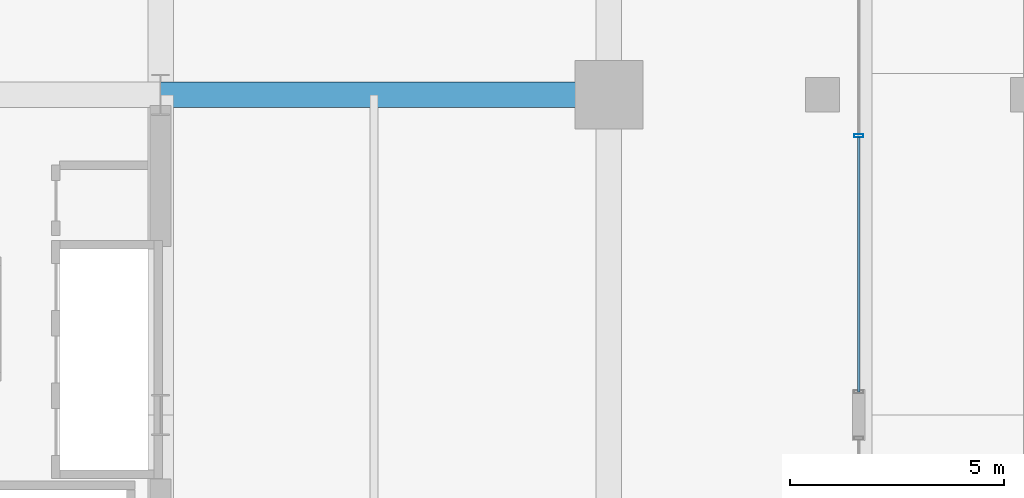
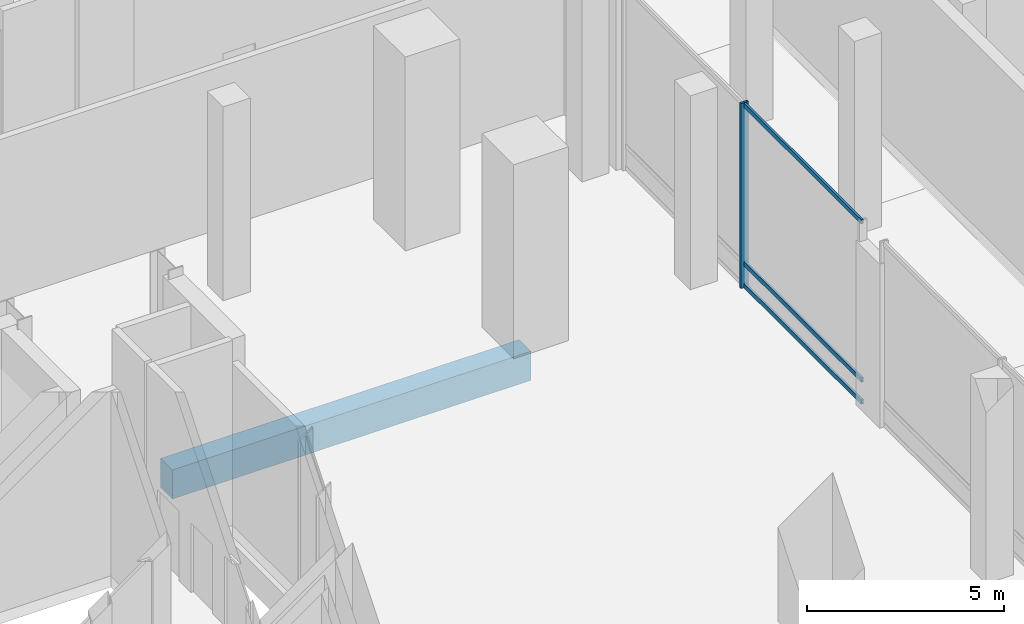
# One storey, part 17 of 34: 4 members, 1 beam, 1 element without a shape of its own.
"""IFC4 building model written with IfcOpenShell, lengths in metres."""

from ifc_helpers import new_model, si_unit, direction, frame, origin, origin_2d, place, context, subcontext, project, spatial, rectangle, hollow_rectangle, extrude, material, layer, layer_set, material_profile, profile_set, type_object, element, aggregate, save


model = new_model("IFC4")

# Units and contexts
model_context = context("Model", 3, precision=1e-05, world=origin(), true_north=direction((0.0, 1.0)))
body_context = subcontext(model_context, "Body", "Model", "MODEL_VIEW")
ifc_project = project(units=[si_unit("LENGTHUNIT", "METRE"), si_unit("AREAUNIT", "SQUARE_METRE"), si_unit("VOLUMEUNIT", "CUBIC_METRE"), si_unit("PLANEANGLEUNIT", "RADIAN"), si_unit("MASSUNIT", "GRAM", prefix="KILO")], contexts=[model_context])

# Site, building, storey
site_placement = place(None, origin())
site = spatial("IfcSite", under=ifc_project, at=site_placement, CompositionType="ELEMENT")
building_placement = place(site_placement, origin())
building = spatial("IfcBuilding", under=site, at=building_placement, Name="Barlavira Tower and Art Museum", CompositionType="ELEMENT")
storey_placement = place(building_placement, origin())
storey = spatial("IfcBuildingStorey", under=building, at=storey_placement, Name="L00", CompositionType="ELEMENT", Elevation=0.0)

# Curtain wall, members
ifc_material_1 = material(Name="Low-iron coastal laminated glass", Category="glass")
ifc_layer = layer(ifc_material_1, 0.219970703125, Name="Low-iron coastal laminated glass")
ifc_layer_set = layer_set([ifc_layer], Name="Low-iron coastal laminated glass")
curtain_wall_type = type_object("IfcCurtainWallType", Name="Double-Height Podium Arcade Storefront Curtain Wall", PredefinedType="NOTDEFINED", material=ifc_layer_set)
curtain_wall_placement = place(storey_placement, origin())
curtain_wall = element("IfcCurtainWall", 1, at=curtain_wall_placement, inside=storey, type_object=curtain_wall_type, Name="L00 Curtain Wall CW5-L00-EN", PredefinedType="NOTDEFINED")
ifc_material_2 = material(Name="Pale anodised aluminium", Category="aluminium")
ifc_material_profile_1 = material_profile(ifc_material_2, hollow_rectangle(XDim=0.074951171875, YDim=0.219970703125, WallThickness=0.0048828125, at=origin_2d()), Name="ALU-MULL 75x220x5")
ifc_profile_set_1 = profile_set([ifc_material_profile_1], Name="Pale anodised aluminium")
member_type_1 = type_object("IfcMemberType", Name="Curtain Wall Heavy Pale-Metal Mullion 75x220", PredefinedType="MULLION", material=ifc_profile_set_1)
member_1_placement = place(storey_placement, frame((22.85009765625, 6.5400390625, 0.0), z_axis=(0.0, 0.0, 1.0), x_axis=(0.0, 1.0, 0.0)))
member_1 = element("IfcMember", 2, at=member_1_placement, type_object=member_type_1, Name="CW5-L00-EN Mullion 1", PredefinedType="MULLION", context=body_context, shape_type="SweptSolid", body=[
    extrude(hollow_rectangle(XDim=0.074951171875, YDim=0.219970703125, WallThickness=0.0048828125, at=origin_2d()), origin(), (0.0, 0.0, 1.0), 5.719970703125),
])
ifc_material_profile_2 = material_profile(ifc_material_2, hollow_rectangle(XDim=0.06494140625, YDim=0.139892578125, WallThickness=0.00390625, at=origin_2d()), Name="ALU-TRAN 65x140x4")
ifc_profile_set_2 = profile_set([ifc_material_profile_2], Name="Pale anodised aluminium")
member_type_2 = type_object("IfcMemberType", Name="Curtain Wall Pale-Metal Transom 65x140", PredefinedType="USERDEFINED", material=ifc_profile_set_2)
member_2_placement = place(storey_placement, frame((22.85009765625, 0.544921875, 0.070068359375), z_axis=(0.0, 1.0, 0.0), x_axis=(-1.0, 0.0, 0.0)))
member_2 = element("IfcMember", 3, at=member_2_placement, type_object=member_type_2, Name="CW5-L00-EN Transom 0.1", ObjectType="TRANSOM", PredefinedType="USERDEFINED", context=body_context, shape_type="SweptSolid", body=[
    extrude(hollow_rectangle(XDim=0.06494140625, YDim=0.139892578125, WallThickness=0.00390625, at=origin_2d()), origin(), (0.0, 0.0, 1.0), 5.9501953125),
])
member_3_placement = place(storey_placement, frame((22.85009765625, 0.544921875, 0.75), z_axis=(0.0, 1.0, 0.0), x_axis=(-1.0, 0.0, 0.0)))
member_3 = element("IfcMember", 4, at=member_3_placement, type_object=member_type_2, Name="CW5-L00-EN Transom 0.2", ObjectType="TRANSOM", PredefinedType="USERDEFINED", context=body_context, shape_type="SweptSolid", body=[
    extrude(hollow_rectangle(XDim=0.06494140625, YDim=0.139892578125, WallThickness=0.00390625, at=origin_2d()), origin(), (0.0, 0.0, 1.0), 5.9501953125),
])
member_4_placement = place(storey_placement, frame((22.85009765625, 0.544921875, 5.64990234375), z_axis=(0.0, 1.0, 0.0), x_axis=(-1.0, 0.0, 0.0)))
member_4 = element("IfcMember", 5, at=member_4_placement, type_object=member_type_2, Name="CW5-L00-EN Transom 0.3", ObjectType="TRANSOM", PredefinedType="USERDEFINED", context=body_context, shape_type="SweptSolid", body=[
    extrude(hollow_rectangle(XDim=0.06494140625, YDim=0.139892578125, WallThickness=0.00390625, at=origin_2d()), origin(), (0.0, 0.0, 1.0), 5.9501953125),
])
aggregate(curtain_wall, [member_1, member_2, member_3, member_4])

# Beam
ifc_material_3 = material(Name="Concrete C50", Category="concrete")
ifc_material_profile_3 = material_profile(ifc_material_3, rectangle(XDim=0.60009765625, YDim=0.89990234375, at=origin_2d()), Name="RC-BM 600x900")
ifc_profile_set_3 = profile_set([ifc_material_profile_3], Name="Concrete C50")
beam_type = type_object("IfcBeamType", Name="Substructure RC Girder 600x900 Concrete C50", PredefinedType="BEAM", material=ifc_profile_set_3)
beam_placement = place(storey_placement, frame((6.5, 7.5, -0.800048828125), z_axis=(1.0, 0.0, 0.0), x_axis=(0.0, 1.0, 0.0)))
element("IfcBeam", 6, at=beam_placement, inside=storey, type_object=beam_type, Name="L00 Girder R-E2", PredefinedType="BEAM", context=body_context, shape_type="SweptSolid", body=[
    extrude(rectangle(XDim=0.60009765625, YDim=0.89990234375, at=origin_2d()), origin(), (0.0, 0.0, 1.0), 10.5),
])

save(model, "model.ifc")
